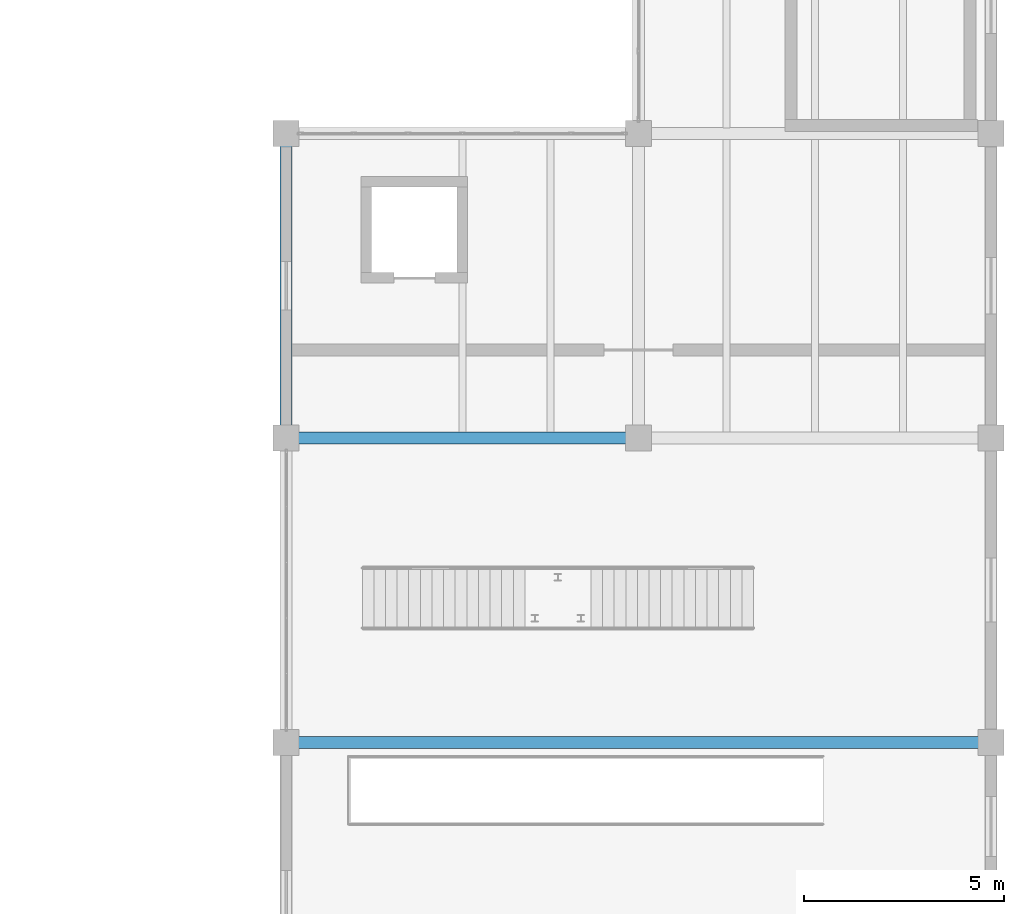
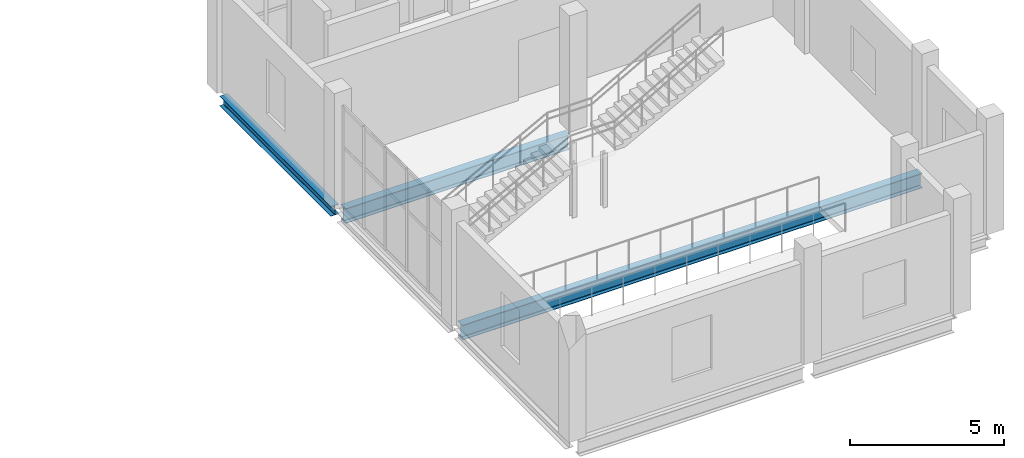
# One storey, part 95 of 172: 3 beams.
"""IFC4 building model written with IfcOpenShell, lengths in metres."""

from ifc_helpers import new_model, si_unit, direction, frame, origin, origin_2d, place, context, subcontext, project, spatial, i_section, extrude, material, material_profile, profile_set, type_object, element, save


model = new_model("IFC4")

# Units and contexts
model_context = context("Model", 3, precision=1e-05, world=origin(), true_north=direction((0.0, 1.0)))
body_context = subcontext(model_context, "Body", "Model", "MODEL_VIEW")
ifc_project = project(units=[si_unit("LENGTHUNIT", "METRE"), si_unit("AREAUNIT", "SQUARE_METRE"), si_unit("VOLUMEUNIT", "CUBIC_METRE"), si_unit("PLANEANGLEUNIT", "RADIAN"), si_unit("MASSUNIT", "GRAM", prefix="KILO")], contexts=[model_context])

# Site, building, storey
site_placement = place(None, origin())
site = spatial("IfcSite", under=ifc_project, at=site_placement, CompositionType="ELEMENT")
building_placement = place(site_placement, origin())
building = spatial("IfcBuilding", under=site, at=building_placement, Name="Shengluoqiao Park Theatre", CompositionType="ELEMENT")
storey_placement = place(building_placement, frame((0.0, 0.0, 5.39990234375)))
storey = spatial("IfcBuildingStorey", under=building, at=storey_placement, Name="L01", CompositionType="ELEMENT", Elevation=5.39990234375)

# Beams
ifc_material = material(Name="Steel Q355", Category="steel")
ifc_material_profile_1 = material_profile(ifc_material, i_section(OverallWidth=0.300048828125, OverallDepth=0.389892578125, WebThickness=0.010009765625, FlangeThickness=0.01611328125, FilletRadius=0.01806640625, at=origin_2d()), Name="HM 390x300x10x16")
ifc_profile_set_1 = profile_set([ifc_material_profile_1], Name="Steel Q355")
beam_type_1 = type_object("IfcBeamType", Name="STR-BM-G-HM390", PredefinedType="BEAM", material=ifc_profile_set_1)
beam_1_placement = place(storey_placement, frame((148.39990234375, 15.39404296875, -0.434814453125), z_axis=(0.0, 1.0, 0.0), x_axis=(-1.0, 0.0, 0.0)))
element("IfcBeam", 1, at=beam_1_placement, inside=storey, type_object=beam_type_1, Name="L01 Transverse Girder 00777", PredefinedType="BEAM", context=body_context, shape_type="SweptSolid", body=[
    extrude(i_section(OverallWidth=0.300048828125, OverallDepth=0.389892578125, WebThickness=0.010009765625, FlangeThickness=0.01611328125, FilletRadius=0.01806640625, at=origin_2d()), origin(), (0.0, 0.0, 1.0), 7.2119140625),
])
ifc_material_profile_2 = material_profile(ifc_material, i_section(OverallWidth=0.300048828125, OverallDepth=0.587890625, WebThickness=0.011962890625, FlangeThickness=0.02001953125, FilletRadius=0.02392578125, at=origin_2d()), Name="HM 588x300x12x20")
ifc_profile_set_2 = profile_set([ifc_material_profile_2], Name="Steel Q355")
beam_type_2 = type_object("IfcBeamType", Name="STR-BM-G-HM588", PredefinedType="BEAM", material=ifc_profile_set_2)
beam_2_placement = place(storey_placement, frame((148.597900390625, 7.60009765625, -0.533935546875), z_axis=(1.0, 0.0, 0.0), x_axis=(0.0, 1.0, 0.0)))
element("IfcBeam", 2, at=beam_2_placement, inside=storey, type_object=beam_type_2, Name="L01 Primary Girder 00771", PredefinedType="BEAM", context=body_context, shape_type="SweptSolid", body=[
    extrude(i_section(OverallWidth=0.300048828125, OverallDepth=0.587890625, WebThickness=0.011962890625, FlangeThickness=0.02001953125, FilletRadius=0.02392578125, at=origin_2d()), origin(), (0.0, 0.0, 1.0), 17.2041015625),
])
beam_3_placement = place(storey_placement, frame((148.597900390625, 15.199951171875, -0.533935546875), z_axis=(1.0, 0.0, 0.0), x_axis=(0.0, 1.0, 0.0)))
element("IfcBeam", 3, at=beam_3_placement, inside=storey, type_object=beam_type_2, Name="L01 Primary Girder 00772", PredefinedType="BEAM", context=body_context, shape_type="SweptSolid", body=[
    extrude(i_section(OverallWidth=0.300048828125, OverallDepth=0.587890625, WebThickness=0.011962890625, FlangeThickness=0.02001953125, FilletRadius=0.02392578125, at=origin_2d()), origin(), (0.0, 0.0, 1.0), 8.404052734375),
])

save(model, "model.ifc")
